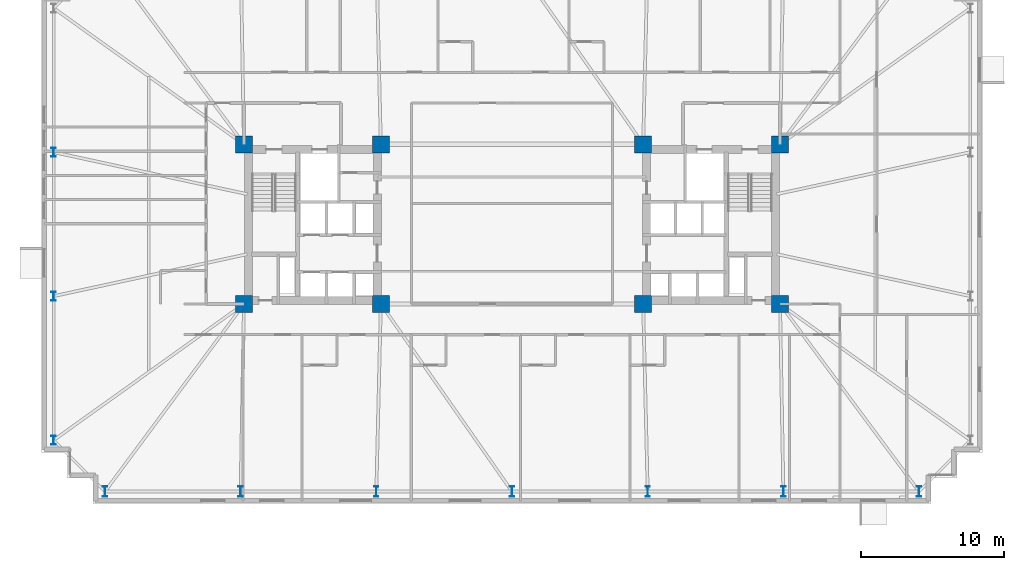
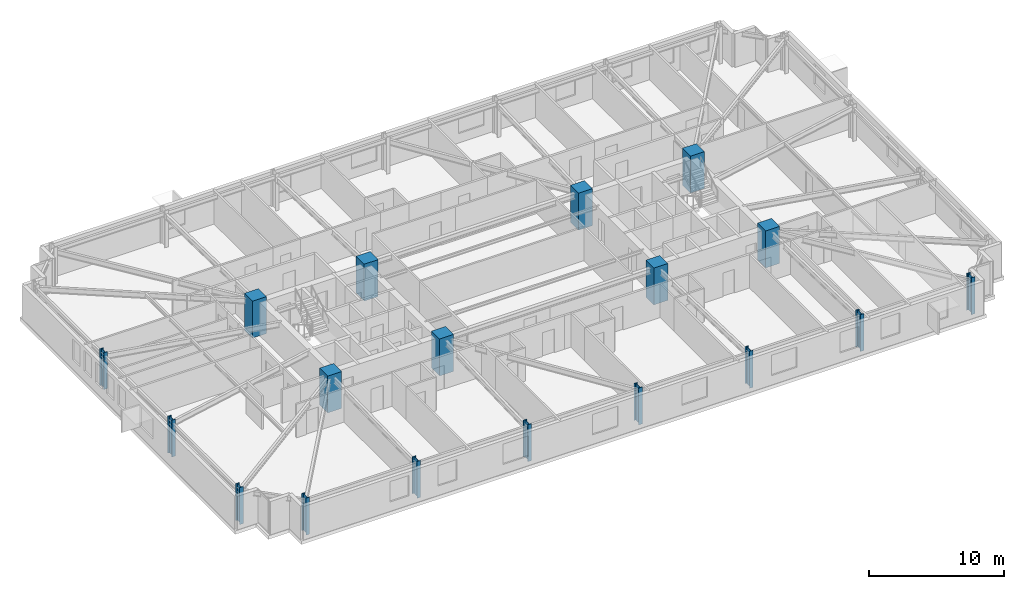
# One storey, part 1 of 21: 18 columns.
"""IFC4 building model written with IfcOpenShell, lengths in metres."""

from ifc_helpers import new_model, si_unit, direction, frame, origin, origin_2d, place, context, subcontext, project, spatial, rectangle, i_section, extrude, material, material_profile, profile_set, type_object, element, save


model = new_model("IFC4")

# Units and contexts
model_context = context("Model", 3, precision=1e-05, world=origin(), true_north=direction((0.0, 1.0)))
body_context = subcontext(model_context, "Body", "Model", "MODEL_VIEW")
ifc_project = project(units=[si_unit("LENGTHUNIT", "METRE"), si_unit("AREAUNIT", "SQUARE_METRE"), si_unit("VOLUMEUNIT", "CUBIC_METRE"), si_unit("PLANEANGLEUNIT", "RADIAN"), si_unit("MASSUNIT", "GRAM", prefix="KILO")], contexts=[model_context])

# Site, building, storey
site_placement = place(None, origin())
site = spatial("IfcSite", under=ifc_project, at=site_placement, CompositionType="ELEMENT")
building_placement = place(site_placement, origin())
building = spatial("IfcBuilding", under=site, at=building_placement, Name="Qobustan Lattice House", CompositionType="ELEMENT")
storey_placement = place(building_placement, frame((0.0, 0.0, 40.39990234375)))
storey = spatial("IfcBuildingStorey", under=building, at=storey_placement, Name="L10", CompositionType="ELEMENT", Elevation=40.39990234375)

# Columns
ifc_material_1 = material(Name="Concrete C60/75", Category="concrete")
ifc_material_profile_1 = material_profile(ifc_material_1, rectangle(XDim=1.199951171875, YDim=1.199951171875, at=origin_2d()), Name="RC1200x1200")
ifc_profile_set_1 = profile_set([ifc_material_profile_1], Name="Concrete C60/75")
column_type_1 = type_object("IfcColumnType", Name="COL-RC-1200", PredefinedType="COLUMN", material=ifc_profile_set_1)
for number, where, z_axis, x_axis, name in (
    (1, (-18.800048828125, -5.60009765625, 0.0), (0.0, 0.0, 1.0), (1.0, 0.0, 0.0), "L10 core mega-column CW-SW"),
    (2, (-18.800048828125, 5.60009765625, 0.0), (0.0, 0.0, 1.0), (1.0, 0.0, 0.0), "L10 core mega-column CW-NW"),
    (3, (-9.199951171875, -5.60009765625, 0.0), (0.0, 0.0, 1.0), (1.0, 0.0, 0.0), "L10 core mega-column CW-SE"),
    (4, (-9.199951171875, 5.60009765625, 0.0), (0.0, 0.0, 1.0), (1.0, 0.0, 0.0), "L10 core mega-column CW-NE"),
    (5, (9.199951171875, -5.60009765625, 0.0), (0.0, 0.0, 1.0), (1.0, 0.0, 0.0), "L10 core mega-column CE-SW"),
    (6, (9.199951171875, 5.60009765625, 0.0), (0.0, 0.0, 1.0), (1.0, 0.0, 0.0), "L10 core mega-column CE-NW"),
    (7, (18.800048828125, -5.60009765625, 0.0), (0.0, 0.0, 1.0), (1.0, 0.0, 0.0), "L10 core mega-column CE-SE"),
    (8, (18.800048828125, 5.60009765625, 0.0), (0.0, 0.0, 1.0), (1.0, 0.0, 0.0), "L10 core mega-column CE-NE"),
):
    element("IfcColumn", number, at=place(storey_placement, frame(where, z_axis=z_axis, x_axis=x_axis)), inside=storey, type_object=column_type_1, Name=name, PredefinedType="COLUMN", context=body_context, shape_type="SweptSolid", body=[
        extrude(rectangle(XDim=1.199951171875, YDim=1.199951171875, at=origin_2d()), origin(), (0.0, 0.0, 1.0), 3.35009765625),
    ])
ifc_material_2 = material(Name="Steel S460", Category="steel")
ifc_material_profile_2 = material_profile(ifc_material_2, i_section(OverallWidth=0.304931640625, OverallDepth=0.6201171875, WebThickness=0.02099609375, FlangeThickness=0.0400390625, FilletRadius=0.027099609375, at=origin_2d()), Name="HEM600")
ifc_profile_set_2 = profile_set([ifc_material_profile_2], Name="Steel S460")
column_type_2 = type_object("IfcColumnType", Name="COL-ST-HEM600", PredefinedType="COLUMN", material=ifc_profile_set_2)
for number, where, z_axis, x_axis, name in (
    (9, (-32.14990234375, 5.050048828125, 0.0), (0.0, 0.0, 1.0), (1.0, 0.0, 0.0), "L10 B1 perimeter column W2"),
    (10, (-32.14990234375, -5.050048828125, 0.0), (0.0, 0.0, 1.0), (1.0, 0.0, 0.0), "L10 B1 perimeter column W3"),
    (11, (-32.14990234375, -15.14990234375, 0.0), (0.0, 0.0, 1.0), (1.0, 0.0, 0.0), "L10 B1 perimeter column W4"),
):
    element("IfcColumn", number, at=place(storey_placement, frame(where, z_axis=z_axis, x_axis=x_axis)), inside=storey, type_object=column_type_2, Name=name, PredefinedType="COLUMN", context=body_context, shape_type="SweptSolid", body=[
        extrude(i_section(OverallWidth=0.304931640625, OverallDepth=0.6201171875, WebThickness=0.02099609375, FlangeThickness=0.0400390625, FilletRadius=0.027099609375, at=origin_2d()), origin(), (0.0, 0.0, 1.0), 3.35009765625),
    ])
ifc_material_3 = material(Name="Steel S460", Category="steel")
ifc_material_profile_3 = material_profile(ifc_material_3, i_section(OverallWidth=0.303955078125, OverallDepth=0.716064453125, WebThickness=0.02099609375, FlangeThickness=0.0400390625, FilletRadius=0.027099609375, at=origin_2d()), Name="HEM700")
ifc_profile_set_3 = profile_set([ifc_material_profile_3], Name="Steel S460")
column_type_3 = type_object("IfcColumnType", Name="COL-ST-HEM700", PredefinedType="COLUMN", material=ifc_profile_set_3)
for number, where, z_axis, x_axis, name in (
    (12, (-28.550048828125, -18.75, 0.0), (0.0, 0.0, 1.0), (1.0, 0.0, 0.0), "L10 B1 perimeter column S1"),
    (13, (-19.033203125, -18.75, 0.0), (0.0, 0.0, 1.0), (1.0, 0.0, 0.0), "L10 B1 perimeter column S2"),
    (14, (-9.5166015625, -18.75, 0.0), (0.0, 0.0, 1.0), (1.0, 0.0, 0.0), "L10 B1 perimeter column S3"),
    (15, (0.0, -18.75, 0.0), (0.0, 0.0, 1.0), (1.0, 0.0, 0.0), "L10 B1 perimeter column S4"),
    (16, (9.5166015625, -18.75, 0.0), (0.0, 0.0, 1.0), (1.0, 0.0, 0.0), "L10 B1 perimeter column S5"),
    (17, (19.033203125, -18.75, 0.0), (0.0, 0.0, 1.0), (1.0, 0.0, 0.0), "L10 B1 perimeter column S6"),
    (18, (28.550048828125, -18.75, 0.0), (0.0, 0.0, 1.0), (1.0, 0.0, 0.0), "L10 B1 perimeter column S7"),
):
    element("IfcColumn", number, at=place(storey_placement, frame(where, z_axis=z_axis, x_axis=x_axis)), inside=storey, type_object=column_type_3, Name=name, PredefinedType="COLUMN", context=body_context, shape_type="SweptSolid", body=[
        extrude(i_section(OverallWidth=0.303955078125, OverallDepth=0.716064453125, WebThickness=0.02099609375, FlangeThickness=0.0400390625, FilletRadius=0.027099609375, at=origin_2d()), origin(), (0.0, 0.0, 1.0), 3.35009765625),
    ])

save(model, "model.ifc")
